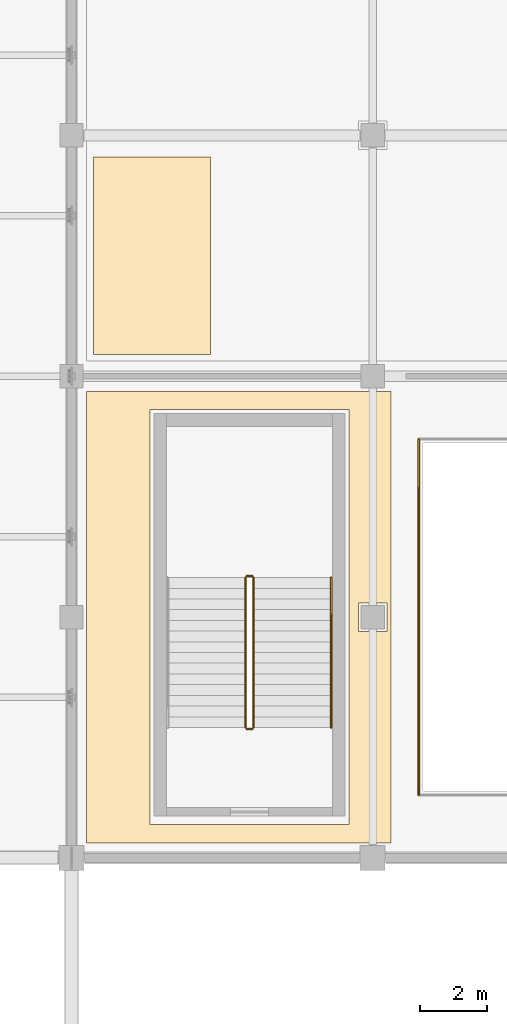
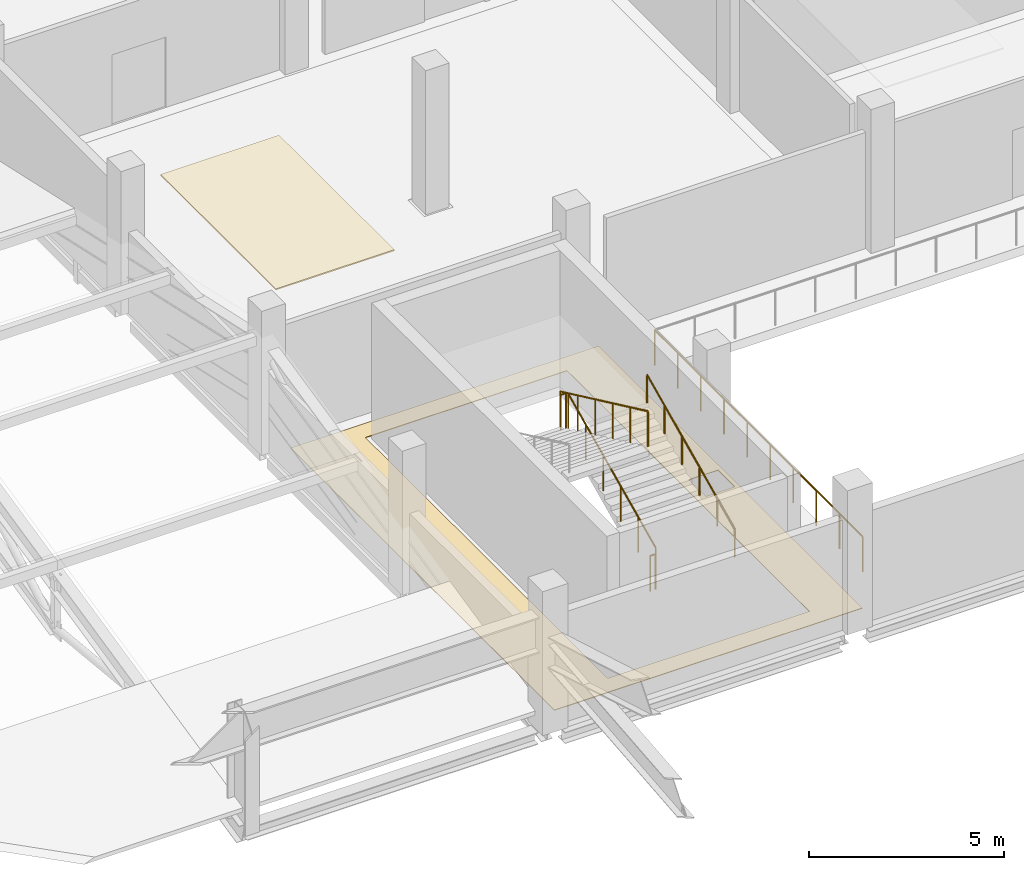
# One storey, part 130 of 151: 6 railings, 2 coverings.
"""IFC4 building model written with IfcOpenShell, lengths in metres."""

from ifc_helpers import new_model, si_unit, direction, frame, origin, origin_2d, place, context, subcontext, project, spatial, polyline, circle, outline, extrude, material, layer, layer_set, type_object, element, save


model = new_model("IFC4")

# Units and contexts
model_context = context("Model", 3, precision=1e-05, world=origin(), true_north=direction((0.0, 1.0)))
body_context = subcontext(model_context, "Body", "Model", "MODEL_VIEW")
ifc_project = project(units=[si_unit("LENGTHUNIT", "METRE"), si_unit("AREAUNIT", "SQUARE_METRE"), si_unit("VOLUMEUNIT", "CUBIC_METRE"), si_unit("PLANEANGLEUNIT", "RADIAN"), si_unit("MASSUNIT", "GRAM", prefix="KILO")], contexts=[model_context])

# Site, building, storey
site_placement = place(None, origin())
site = spatial("IfcSite", under=ifc_project, at=site_placement, CompositionType="ELEMENT")
building_placement = place(site_placement, origin())
building = spatial("IfcBuilding", under=site, at=building_placement, Name="Celestram Park Convention Centre", CompositionType="ELEMENT")
storey_placement = place(building_placement, frame((0.0, 0.0, 10.800048828125)))
storey = spatial("IfcBuildingStorey", under=building, at=storey_placement, Name="L02", CompositionType="ELEMENT", Elevation=10.800048828125)

# Coverings
ifc_material_1 = material(Name="Perforated Acoustic Mineral-Fibre Baffle Ceiling", Category="gypsum")
ifc_layer_1 = layer(ifc_material_1, 0.0400390625)
ifc_layer_set_1 = layer_set([ifc_layer_1], Name="Perforated Acoustic Mineral-Fibre Baffle Ceiling")
covering_type_1 = type_object("IfcCoveringType", Name="ARC-COV-CLG040", PredefinedType="CEILING", material=ifc_layer_set_1)
covering_1_placement = place(storey_placement, frame((0.0, 0.0, 4.2099609375)))
element("IfcCovering", 1, at=covering_1_placement, inside=storey, type_object=covering_type_1, Name="Symposium Hall 201 acoustic baffle ceiling", PredefinedType="CEILING", context=body_context, shape_type="SweptSolid", body=[
    extrude(outline(polyline([(36.64990234375, 123.050048828125), (40.14990234375, 123.050048828125), (40.14990234375, 128.949951171875), (36.64990234375, 128.949951171875), (36.64990234375, 123.050048828125)])), origin(), (0.0, 0.0, 1.0), 0.0400390625),
])
ifc_material_2 = material(Name="Polished Lakefront Aggregate Terrazzo Flooring", Category="concrete")
ifc_layer_2 = layer(ifc_material_2, 0.02001953125)
ifc_layer_set_2 = layer_set([ifc_layer_2], Name="Polished Lakefront Aggregate Terrazzo Flooring")
covering_type_2 = type_object("IfcCoveringType", Name="ARC-COV-FLR020", PredefinedType="FLOORING", material=ifc_layer_set_2)
covering_2_placement = place(storey_placement, origin())
element("IfcCovering", 2, at=covering_2_placement, inside=storey, type_object=covering_type_2, Name="Upper Winter-Garden Concourse West terrazzo flooring", PredefinedType="FLOORING", context=body_context, shape_type="SweptSolid", body=[
    extrude(outline(polyline([(45.550048828125, 121.949951171875), (45.550048828125, 108.449951171875), (45.452880859375, 108.449951171875), (45.452880859375, 108.452880859375), (44.547119140625, 108.452880859375), (44.547119140625, 108.449951171875), (36.452880859375, 108.449951171875), (36.452880859375, 108.452880859375), (36.449951171875, 108.452880859375), (36.449951171875, 121.949951171875), (45.550048828125, 121.949951171875)]), holes=[polyline([(44.300048828125, 121.39990234375), (38.340087890625, 121.39990234375), (38.340087890625, 109.0), (44.300048828125, 109.0), (44.300048828125, 121.39990234375)]), polyline([(45.427978515625, 115.6279296875), (44.572021484375, 115.6279296875), (44.572021484375, 114.77197265625), (45.427978515625, 114.77197265625), (45.427978515625, 115.6279296875)])]), origin(), (0.0, 0.0, 1.0), 0.02001953125),
])

# Railings
ifc_material_3 = material(Name="Stainless Steel AISI 316L & Laminated Glass", Category="steel")
ifc_layer_3 = layer(ifc_material_3, 0.06005859375)
ifc_layer_set_3 = layer_set([ifc_layer_3], Name="Stainless Steel AISI 316L & Laminated Glass")
railing_type_1 = type_object("IfcRailingType", Name="ARC-RL-GRD1120", PredefinedType="GUARDRAIL", material=ifc_layer_set_3)
railing_1_placement = place(storey_placement, frame((46.3798828125, 120.52001953125, 0.0)))
element("IfcRailing", 3, at=railing_1_placement, inside=storey, type_object=railing_type_1, Name="Atrium/balcony balustrade RL-L02-VB026", PredefinedType="GUARDRAIL", context=body_context, shape_type="SweptSolid", body=[
    extrude(circle(Radius=0.02392578125, at=origin_2d()), frame((0.0, 0.0, 1.09619140625), z_axis=(0.0, -1.0, 0.0), x_axis=(1.0, 0.0, 0.0)), (0.0, 0.0, 1.0), 10.64013671875),
    extrude(circle(Radius=0.02099609375, at=origin_2d()), origin(), (0.0, 0.0, 1.0), 1.072021484375),
    extrude(circle(Radius=0.02099609375, at=origin_2d()), frame((0.0, -1.18212890625, 0.0)), (0.0, 0.0, 1.0), 1.072021484375),
    extrude(circle(Radius=0.02099609375, at=origin_2d()), frame((0.0, -2.364501953125, 0.0)), (0.0, 0.0, 1.0), 1.072021484375),
    extrude(circle(Radius=0.02099609375, at=origin_2d()), frame((0.0, -3.546630859375, 0.0)), (0.0, 0.0, 1.0), 1.072021484375),
    extrude(circle(Radius=0.02099609375, at=origin_2d()), frame((0.0, -4.72900390625, 0.0)), (0.0, 0.0, 1.0), 1.072021484375),
    extrude(circle(Radius=0.02099609375, at=origin_2d()), frame((0.0, -5.9111328125, 0.0)), (0.0, 0.0, 1.0), 1.072021484375),
    extrude(circle(Radius=0.02099609375, at=origin_2d()), frame((0.0, -7.093505859375, 0.0)), (0.0, 0.0, 1.0), 1.072021484375),
    extrude(circle(Radius=0.02099609375, at=origin_2d()), frame((0.0, -8.275634765625, 0.0)), (0.0, 0.0, 1.0), 1.072021484375),
    extrude(circle(Radius=0.02099609375, at=origin_2d()), frame((0.0, -9.4580078125, 0.0)), (0.0, 0.0, 1.0), 1.072021484375),
    extrude(circle(Radius=0.02099609375, at=origin_2d()), frame((0.0, -10.64013671875, 0.0)), (0.0, 0.0, 1.0), 1.072021484375),
])
railing_2_placement = place(storey_placement, frame((41.43603515625, 111.89990234375, 0.14990234375)))
element("IfcRailing", 4, at=railing_2_placement, inside=storey, type_object=railing_type_1, Name="L02 ST-13 stair guard 1", PredefinedType="GUARDRAIL", context=body_context, shape_type="SweptSolid", body=[
    extrude(circle(Radius=0.02392578125, at=origin_2d()), frame((0.0, 0.0, 1.09619140625), z_axis=(0.0, 0.905450639465, 0.424451574969), x_axis=(-1.0, 0.0, 0.0)), (0.0, 0.0, 1.0), 4.94775390625),
    extrude(circle(Radius=0.02099609375, at=origin_2d()), origin(), (0.0, 0.0, 1.0), 1.072021484375),
    extrude(circle(Radius=0.02099609375, at=origin_2d()), frame((0.0, 0.89599609375, 0.419921875)), (0.0, 0.0, 1.0), 1.072021484375),
    extrude(circle(Radius=0.02099609375, at=origin_2d()), frame((0.0, 1.7919921875, 0.840087890625)), (0.0, 0.0, 1.0), 1.072021484375),
    extrude(circle(Radius=0.02099609375, at=origin_2d()), frame((0.0, 2.68798828125, 1.260009765625)), (0.0, 0.0, 1.0), 1.072021484375),
    extrude(circle(Radius=0.02099609375, at=origin_2d()), frame((0.0, 3.583984375, 1.68017578125)), (0.0, 0.0, 1.0), 1.072021484375),
    extrude(circle(Radius=0.02099609375, at=origin_2d()), frame((0.0, 4.47998046875, 2.10009765625)), (0.0, 0.0, 1.0), 1.072021484375),
])
railing_3_placement = place(storey_placement, frame((41.39990234375, 116.429931640625, 2.25)))
element("IfcRailing", 5, at=railing_3_placement, inside=storey, type_object=railing_type_1, Name="L02 ST-13 stair guard 2", PredefinedType="GUARDRAIL", context=body_context, shape_type="SweptSolid", body=[
    extrude(circle(Radius=0.02392578125, at=origin_2d()), frame((0.0, 0.0, 1.09619140625), z_axis=(-1.0, 0.0, 0.0), x_axis=(0.0, -1.0, 0.0)), (0.0, 0.0, 1.0), 0.159912109375),
    extrude(circle(Radius=0.02099609375, at=origin_2d()), origin(), (0.0, 0.0, 1.0), 1.072021484375),
    extrude(circle(Radius=0.02099609375, at=origin_2d()), frame((-0.159912109375, 0.0, 0.0)), (0.0, 0.0, 1.0), 1.072021484375),
])
railing_4_placement = place(storey_placement, frame((41.2041015625, 116.3798828125, 2.39990234375)))
element("IfcRailing", 6, at=railing_4_placement, inside=storey, type_object=railing_type_1, Name="L02 ST-13 stair guard 3", PredefinedType="GUARDRAIL", context=body_context, shape_type="SweptSolid", body=[
    extrude(circle(Radius=0.02392578125, at=origin_2d()), frame((0.0, 0.0, 1.09619140625), z_axis=(0.0, -0.905450639465, 0.424451574969), x_axis=(1.0, 0.0, 0.0)), (0.0, 0.0, 1.0), 4.94775390625),
    extrude(circle(Radius=0.02099609375, at=origin_2d()), origin(), (0.0, 0.0, 1.0), 1.072021484375),
    extrude(circle(Radius=0.02099609375, at=origin_2d()), frame((0.0, -0.89599609375, 0.419921875)), (0.0, 0.0, 1.0), 1.072021484375),
    extrude(circle(Radius=0.02099609375, at=origin_2d()), frame((0.0, -1.7919921875, 0.840087890625)), (0.0, 0.0, 1.0), 1.072021484375),
    extrude(circle(Radius=0.02099609375, at=origin_2d()), frame((0.0, -2.68798828125, 1.260009765625)), (0.0, 0.0, 1.0), 1.072021484375),
    extrude(circle(Radius=0.02099609375, at=origin_2d()), frame((0.0, -3.583984375, 1.68017578125)), (0.0, 0.0, 1.0), 1.072021484375),
    extrude(circle(Radius=0.02099609375, at=origin_2d()), frame((0.0, -4.47998046875, 2.10009765625)), (0.0, 0.0, 1.0), 1.072021484375),
])
railing_5_placement = place(storey_placement, frame((41.39990234375, 111.85009765625, 0.0)))
element("IfcRailing", 7, at=railing_5_placement, inside=storey, type_object=railing_type_1, Name="L02 ST-13 stair guard 4", PredefinedType="GUARDRAIL", context=body_context, shape_type="SweptSolid", body=[
    extrude(circle(Radius=0.02392578125, at=origin_2d()), frame((0.0, 0.0, 1.09619140625), z_axis=(-1.0, 0.0, 0.0), x_axis=(0.0, -1.0, 0.0)), (0.0, 0.0, 1.0), 0.159912109375),
    extrude(circle(Radius=0.02099609375, at=origin_2d()), origin(), (0.0, 0.0, 1.0), 1.072021484375),
    extrude(circle(Radius=0.02099609375, at=origin_2d()), frame((-0.159912109375, 0.0, 0.0)), (0.0, 0.0, 1.0), 1.072021484375),
])
ifc_material_4 = material(Name="Brushed Stainless Steel AISI 304", Category="steel")
ifc_layer_4 = layer(ifc_material_4, 0.048095703125)
ifc_layer_set_4 = layer_set([ifc_layer_4], Name="Brushed Stainless Steel AISI 304")
railing_type_2 = type_object("IfcRailingType", Name="ARC-RL-HND915", PredefinedType="HANDRAIL", material=ifc_layer_set_4)
railing_6_placement = place(storey_placement, frame((43.763916015625, 111.89990234375, 0.14990234375)))
element("IfcRailing", 8, at=railing_6_placement, inside=storey, type_object=railing_type_2, Name="L02 ST-13 stair handrail 1", PredefinedType="HANDRAIL", context=body_context, shape_type="SweptSolid", body=[
    extrude(circle(Radius=0.02392578125, at=origin_2d()), frame((0.0, 0.0, 0.8759765625), z_axis=(0.0, 0.905450639465, 0.424451574969), x_axis=(-1.0, 0.0, 0.0)), (0.0, 0.0, 1.0), 4.94775390625),
    extrude(circle(Radius=0.02099609375, at=origin_2d()), origin(), (0.0, 0.0, 1.0), 0.851806640625),
    extrude(circle(Radius=0.02099609375, at=origin_2d()), frame((0.0, 0.89599609375, 0.419921875)), (0.0, 0.0, 1.0), 0.851806640625),
    extrude(circle(Radius=0.02099609375, at=origin_2d()), frame((0.0, 1.7919921875, 0.840087890625)), (0.0, 0.0, 1.0), 0.851806640625),
    extrude(circle(Radius=0.02099609375, at=origin_2d()), frame((0.0, 2.68798828125, 1.260009765625)), (0.0, 0.0, 1.0), 0.851806640625),
    extrude(circle(Radius=0.02099609375, at=origin_2d()), frame((0.0, 3.583984375, 1.68017578125)), (0.0, 0.0, 1.0), 0.851806640625),
    extrude(circle(Radius=0.02099609375, at=origin_2d()), frame((0.0, 4.47998046875, 2.10009765625)), (0.0, 0.0, 1.0), 0.851806640625),
])

save(model, "model.ifc")
